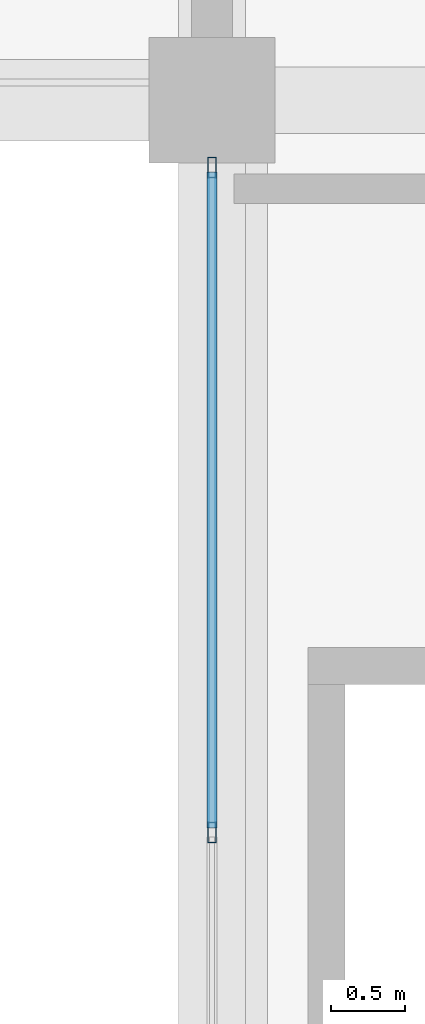
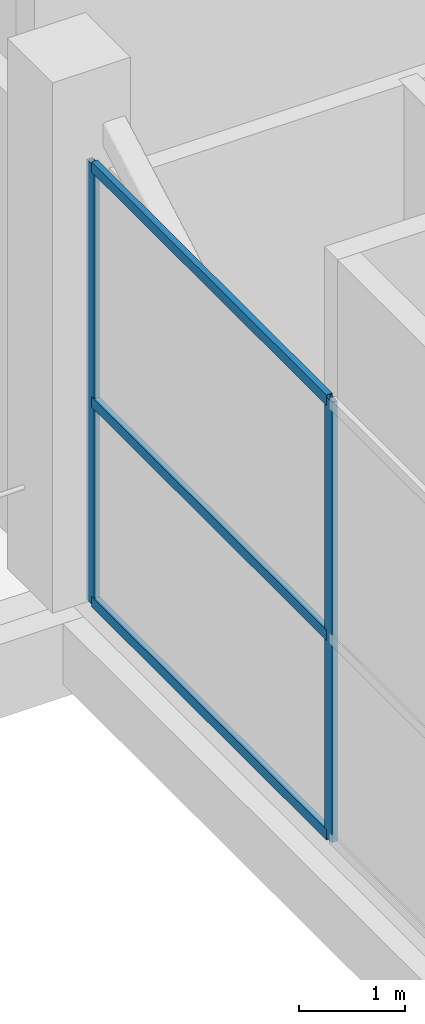
# One storey, part 16 of 46: 5 members, 1 element without a shape of its own.
"""IFC4 building model written with IfcOpenShell, lengths in metres."""

from ifc_helpers import new_model, si_unit, direction, frame, origin, origin_2d, place, context, subcontext, project, spatial, hollow_rectangle, extrude, material, layer, layer_set, material_profile, profile_set, type_object, element, aggregate, save


model = new_model("IFC4")

# Units and contexts
model_context = context("Model", 3, precision=1e-05, world=origin(), true_north=direction((0.0, 1.0)))
body_context = subcontext(model_context, "Body", "Model", "MODEL_VIEW")
ifc_project = project(units=[si_unit("LENGTHUNIT", "METRE"), si_unit("AREAUNIT", "SQUARE_METRE"), si_unit("VOLUMEUNIT", "CUBIC_METRE"), si_unit("PLANEANGLEUNIT", "RADIAN"), si_unit("MASSUNIT", "GRAM", prefix="KILO")], contexts=[model_context])

# Site, building, storey
site_placement = place(None, origin())
site = spatial("IfcSite", under=ifc_project, at=site_placement, CompositionType="ELEMENT")
building_placement = place(site_placement, origin())
building = spatial("IfcBuilding", under=site, at=building_placement, Name="Sillaruma Civic Art Gallery", CompositionType="ELEMENT")
storey_placement = place(building_placement, frame((0.0, 0.0, 16.320068359375)))
storey = spatial("IfcBuildingStorey", under=building, at=storey_placement, Name="L03", CompositionType="ELEMENT", Elevation=16.320068359375)

# Curtain wall, members
ifc_material = material(Name="Thermally Broken Extruded Aluminium 6063-T6", Category="aluminium")
ifc_layer = layer(ifc_material, 0.139892578125, Name="Thermally Broken Extruded Aluminium 6063-T6")
ifc_layer_set = layer_set([ifc_layer], Name="Thermally Broken Extruded Aluminium 6063-T6")
curtain_wall_type = type_object("IfcCurtainWallType", Name="CW-UNI-20", PredefinedType="NOTDEFINED", material=ifc_layer_set)
curtain_wall_placement = place(storey_placement, origin())
curtain_wall = element("IfcCurtainWall", 1, at=curtain_wall_placement, inside=storey, type_object=curtain_wall_type, Name="Unitised Curtain Wall CW-20 (CW-L03-W-6)", PredefinedType="NOTDEFINED")
ifc_material_profile_1 = material_profile(ifc_material, hollow_rectangle(XDim=0.06005859375, YDim=0.139892578125, WallThickness=0.00341796875, at=origin_2d()), Name="CWM60x140")
ifc_profile_set_1 = profile_set([ifc_material_profile_1], Name="Thermally Broken Extruded Aluminium 6063-T6")
member_type_1 = type_object("IfcMemberType", Name="MEM-MUL-CWM60x140", PredefinedType="MULLION", material=ifc_profile_set_1)
member_1_placement = place(storey_placement, frame((62.0, 74.25, 0.0), z_axis=(0.0, 0.0, 1.0), x_axis=(-1.0, 0.0, 0.0)))
member_1 = element("IfcMember", 2, at=member_1_placement, type_object=member_type_1, Name="CW-20 mullion 2", PredefinedType="MULLION", context=body_context, shape_type="SweptSolid", body=[
    extrude(hollow_rectangle(XDim=0.06005859375, YDim=0.139892578125, WallThickness=0.00341796875, at=origin_2d()), origin(), (0.0, 0.0, 1.0), 5.079833984375),
])
member_2_placement = place(storey_placement, frame((62.0, 78.7451171875, 0.0), z_axis=(0.0, 0.0, 1.0), x_axis=(-1.0, 0.0, 0.0)))
member_2 = element("IfcMember", 3, at=member_2_placement, type_object=member_type_1, Name="CW-20 mullion 3", PredefinedType="MULLION", context=body_context, shape_type="SweptSolid", body=[
    extrude(hollow_rectangle(XDim=0.06005859375, YDim=0.139892578125, WallThickness=0.00341796875, at=origin_2d()), origin(), (0.0, 0.0, 1.0), 5.079833984375),
])
ifc_material_profile_2 = material_profile(ifc_material, hollow_rectangle(XDim=0.06494140625, YDim=0.1201171875, WallThickness=0.00341796875, at=origin_2d()), Name="CWT65x120")
ifc_profile_set_2 = profile_set([ifc_material_profile_2], Name="Thermally Broken Extruded Aluminium 6063-T6")
member_type_2 = type_object("IfcMemberType", Name="MEM-TRN-CWT65x120", PredefinedType="USERDEFINED", material=ifc_profile_set_2)
member_3_placement = place(storey_placement, frame((62.0, 74.280029296875, 0.032470703125), z_axis=(0.0, 1.0, 0.0), x_axis=(-1.0, 0.0, 0.0)))
member_3 = element("IfcMember", 4, at=member_3_placement, type_object=member_type_2, Name="CW-20 transom 2.1", ObjectType="TRANSOM", PredefinedType="USERDEFINED", context=body_context, shape_type="SweptSolid", body=[
    extrude(hollow_rectangle(XDim=0.06494140625, YDim=0.1201171875, WallThickness=0.00341796875, at=origin_2d()), origin(), (0.0, 0.0, 1.0), 4.43505859375),
])
member_4_placement = place(storey_placement, frame((62.0, 74.280029296875, 2.336669921875), z_axis=(0.0, 1.0, 0.0), x_axis=(-1.0, 0.0, 0.0)))
member_4 = element("IfcMember", 5, at=member_4_placement, type_object=member_type_2, Name="CW-20 transom 2.2", ObjectType="TRANSOM", PredefinedType="USERDEFINED", context=body_context, shape_type="SweptSolid", body=[
    extrude(hollow_rectangle(XDim=0.06494140625, YDim=0.1201171875, WallThickness=0.00341796875, at=origin_2d()), origin(), (0.0, 0.0, 1.0), 4.43505859375),
])
member_5_placement = place(storey_placement, frame((62.0, 74.280029296875, 5.04736328125), z_axis=(0.0, 1.0, 0.0), x_axis=(-1.0, 0.0, 0.0)))
member_5 = element("IfcMember", 6, at=member_5_placement, type_object=member_type_2, Name="CW-20 transom 2.3", ObjectType="TRANSOM", PredefinedType="USERDEFINED", context=body_context, shape_type="SweptSolid", body=[
    extrude(hollow_rectangle(XDim=0.06494140625, YDim=0.1201171875, WallThickness=0.00341796875, at=origin_2d()), origin(), (0.0, 0.0, 1.0), 4.43505859375),
])
aggregate(curtain_wall, [member_1, member_2, member_3, member_4, member_5])

save(model, "model.ifc")
